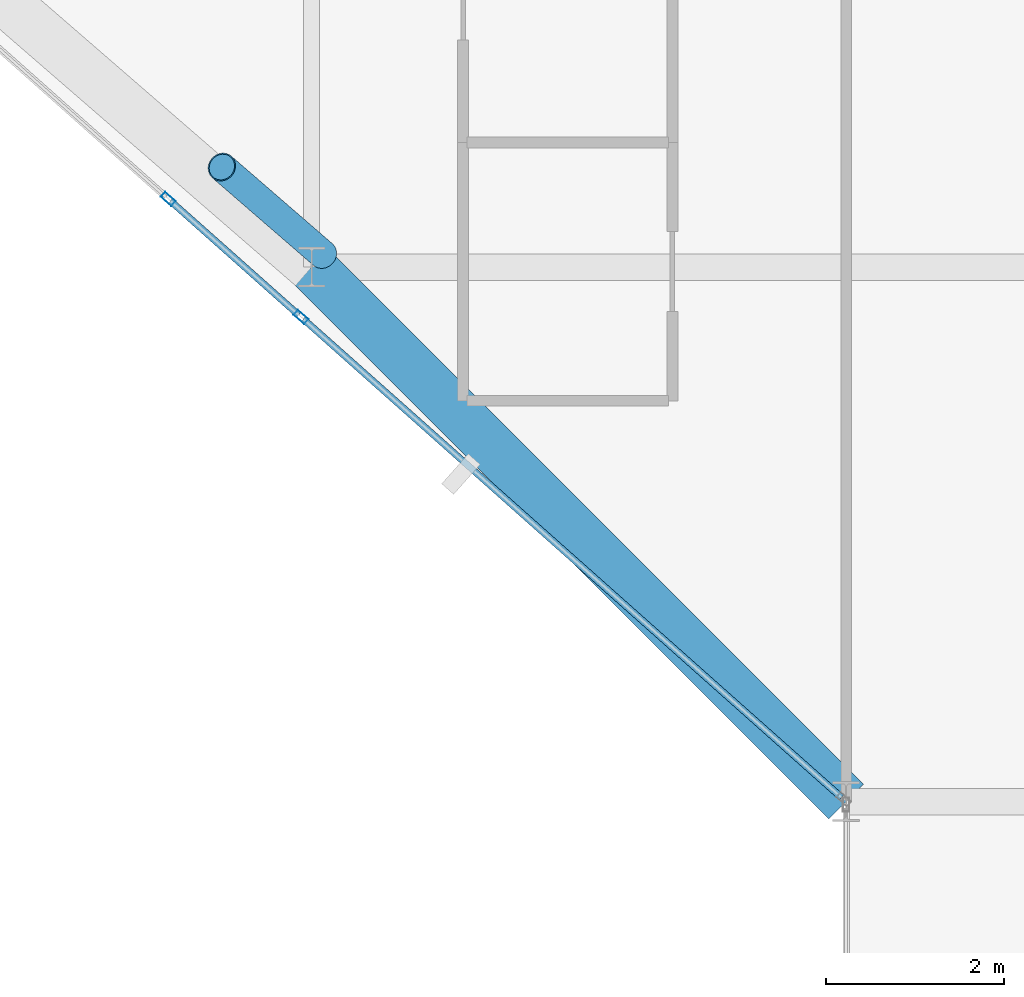
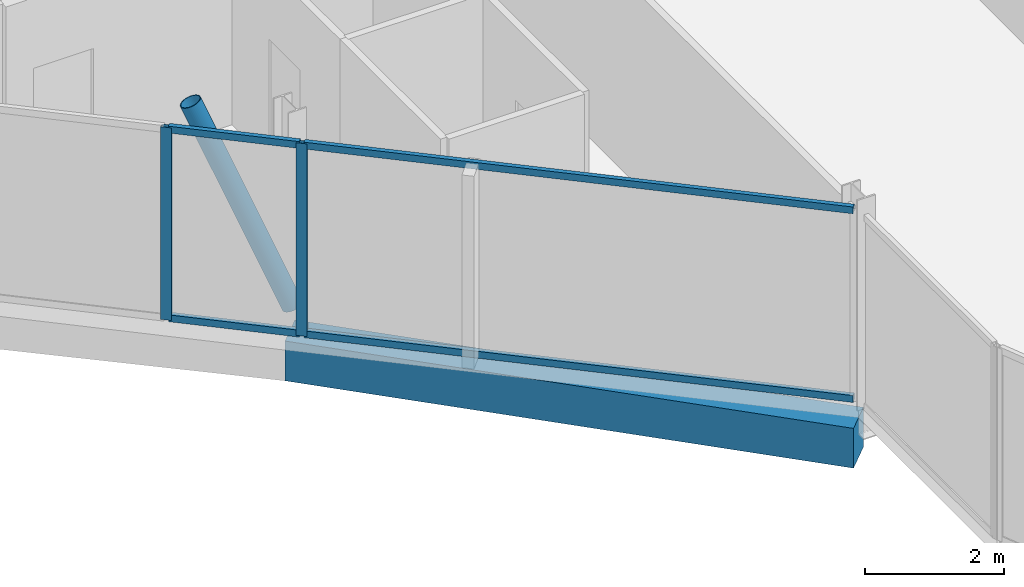
# One storey, part 4 of 29: 7 members, 1 beam, 2 elements without a shape of their own.
"""IFC4 building model written with IfcOpenShell, lengths in metres."""

from ifc_helpers import new_model, si_unit, direction, frame, origin, origin_2d, place, context, subcontext, project, spatial, rectangle, hollow_rectangle, hollow_circle, extrude, material, layer, layer_set, material_profile, profile_set, type_object, element, aggregate, save


model = new_model("IFC4")

# Units and contexts
model_context = context("Model", 3, precision=1e-05, world=origin(), true_north=direction((0.0, 1.0)))
body_context = subcontext(model_context, "Body", "Model", "MODEL_VIEW")
ifc_project = project(units=[si_unit("LENGTHUNIT", "METRE"), si_unit("AREAUNIT", "SQUARE_METRE"), si_unit("VOLUMEUNIT", "CUBIC_METRE"), si_unit("PLANEANGLEUNIT", "RADIAN"), si_unit("MASSUNIT", "GRAM", prefix="KILO")], contexts=[model_context])

# Site, building, storey
site_placement = place(None, origin())
site = spatial("IfcSite", under=ifc_project, at=site_placement, CompositionType="ELEMENT")
building_placement = place(site_placement, origin())
building = spatial("IfcBuilding", under=site, at=building_placement, Name="Keshet Zoharim Tower", CompositionType="ELEMENT")
storey_placement = place(building_placement, frame((0.0, 0.0, 203.199951171875)))
storey = spatial("IfcBuildingStorey", under=building, at=storey_placement, Name="L50", CompositionType="ELEMENT", Elevation=203.199951171875)

# Beam
ifc_material_1 = material(Name="Concrete C50/60", Category="concrete")
ifc_material_profile_1 = material_profile(ifc_material_1, rectangle(XDim=0.550048828125, YDim=0.699951171875, at=origin_2d()), Name="RC700x550")
ifc_profile_set_1 = profile_set([ifc_material_profile_1], Name="Concrete C50/60")
beam_type = type_object("IfcBeamType", Name="BM-SPN-700", PredefinedType="SPANDREL", material=ifc_profile_set_1)
beam_placement = place(storey_placement, frame((21.0, 6.699951171875, -0.659912109375), z_axis=(-0.707106781187, 0.707106781187, 0.0), x_axis=(-0.707106781187, -0.707106781187, 0.0)))
element("IfcBeam", 1, at=beam_placement, inside=storey, type_object=beam_type, Name="L50 Perimeter Spandrel Beam 01", PredefinedType="SPANDREL", context=body_context, shape_type="SweptSolid", body=[
    extrude(rectangle(XDim=0.550048828125, YDim=0.699951171875, at=origin_2d()), origin(), (0.0, 0.0, 1.0), 8.4853515625),
])

# Curtain wall, member
ifc_material_2 = material(Name="Aluminium 6063-T6", Category="aluminium")
ifc_layer = layer(ifc_material_2, 0.139892578125)
ifc_layer_set = layer_set([ifc_layer], Name="Aluminium 6063-T6")
curtain_wall_type = type_object("IfcCurtainWallType", Name="CW-SYS-05", PredefinedType="NOTDEFINED", material=ifc_layer_set)
curtain_wall_1_placement = place(storey_placement, origin())
curtain_wall_1 = element("IfcCurtainWall", 2, at=curtain_wall_1_placement, inside=storey, type_object=curtain_wall_type, Name="L50 Unitised Curtain Wall 10", PredefinedType="NOTDEFINED")
ifc_material_profile_2 = material_profile(ifc_material_2, hollow_rectangle(XDim=0.074951171875, YDim=0.159912109375, WallThickness=0.00390625, at=origin_2d()), Name="MUL-75x160")
ifc_profile_set_2 = profile_set([ifc_material_profile_2], Name="Aluminium 6063-T6")
member_type_1 = type_object("IfcMemberType", Name="CWM-M15", PredefinedType="MULLION", material=ifc_profile_set_2)
member_1_placement = place(storey_placement, frame((14.88037109375, 12.1396484375, 0.0), z_axis=(0.0, 0.0, 1.0), x_axis=(-0.664367613066, -0.74740596379, 0.0)))
member_1 = element("IfcMember", 3, at=member_1_placement, type_object=member_type_1, Name="CW-05 mullion 2", PredefinedType="MULLION", context=body_context, shape_type="SweptSolid", body=[
    extrude(hollow_rectangle(XDim=0.074951171875, YDim=0.159912109375, WallThickness=0.00390625, at=origin_2d()), origin(), (0.0, 0.0, 1.0), 3.39013671875),
])

curtain_wall_2_placement = place(storey_placement, origin())
curtain_wall_2 = element("IfcCurtainWall", 4, at=curtain_wall_2_placement, inside=storey, type_object=curtain_wall_type, Name="L50 Unitised Curtain Wall 10 Part 2", PredefinedType="NOTDEFINED")
member_2_placement = place(storey_placement, frame((13.388427734375, 13.4658203125, 0.0), z_axis=(0.0, 0.0, 1.0), x_axis=(-0.664329634314, -0.747439721297, 0.0)))
member_2 = element("IfcMember", 5, at=member_2_placement, type_object=member_type_1, Name="CW-05 mullion 2", PredefinedType="MULLION", context=body_context, shape_type="SweptSolid", body=[
    extrude(hollow_rectangle(XDim=0.074951171875, YDim=0.159912109375, WallThickness=0.00390625, at=origin_2d()), origin(), (0.0, 0.0, 1.0), 3.39013671875),
])

# Member
ifc_material_profile_3 = material_profile(ifc_material_2, hollow_rectangle(XDim=0.074951171875, YDim=0.1201171875, WallThickness=0.00390625, at=origin_2d()), Name="TRN-75x120")
ifc_profile_set_3 = profile_set([ifc_material_profile_3], Name="Aluminium 6063-T6")
member_type_2 = type_object("IfcMemberType", Name="CWT-T12", PredefinedType="USERDEFINED", material=ifc_profile_set_3)
member_3_placement = place(storey_placement, frame((20.94775390625, 6.74658203125, 0.03515625), z_axis=(-0.747404319135, 0.664369463279, 0.0), x_axis=(-0.664369463279, -0.747404319135, 0.0)))
member_3 = element("IfcMember", 6, at=member_3_placement, type_object=member_type_2, Name="CW-05 transom 1.1", ObjectType="TRANSOM", PredefinedType="USERDEFINED", context=body_context, shape_type="SweptSolid", body=[
    extrude(hollow_rectangle(XDim=0.074951171875, YDim=0.1201171875, WallThickness=0.00390625, at=origin_2d()), origin(), (0.0, 0.0, 1.0), 8.082763671875),
])

member_4_placement = place(storey_placement, frame((20.94775390625, 6.74658203125, 3.35498046875), z_axis=(-0.747404319135, 0.664369463279, 0.0), x_axis=(-0.664369463279, -0.747404319135, 0.0)))
member_4 = element("IfcMember", 7, at=member_4_placement, type_object=member_type_2, Name="CW-05 transom 1.2", ObjectType="TRANSOM", PredefinedType="USERDEFINED", context=body_context, shape_type="SweptSolid", body=[
    extrude(hollow_rectangle(XDim=0.074951171875, YDim=0.1201171875, WallThickness=0.00390625, at=origin_2d()), origin(), (0.0, 0.0, 1.0), 8.082763671875),
])

aggregate(curtain_wall_1, [member_1, member_3, member_4])

member_5_placement = place(storey_placement, frame((14.854248046875, 12.162841796875, 0.03515625), z_axis=(-0.747458269264, 0.664308765341, 0.0), x_axis=(-0.664308765341, -0.747458269264, 0.0)))
member_5 = element("IfcMember", 8, at=member_5_placement, type_object=member_type_2, Name="CW-05 transom 1.1", ObjectType="TRANSOM", PredefinedType="USERDEFINED", context=body_context, shape_type="SweptSolid", body=[
    extrude(hollow_rectangle(XDim=0.074951171875, YDim=0.1201171875, WallThickness=0.00390625, at=origin_2d()), origin(), (0.0, 0.0, 1.0), 1.926025390625),
])

member_6_placement = place(storey_placement, frame((14.854248046875, 12.162841796875, 3.35498046875), z_axis=(-0.747458269264, 0.664308765341, 0.0), x_axis=(-0.664308765341, -0.747458269264, 0.0)))
member_6 = element("IfcMember", 9, at=member_6_placement, type_object=member_type_2, Name="CW-05 transom 1.2", ObjectType="TRANSOM", PredefinedType="USERDEFINED", context=body_context, shape_type="SweptSolid", body=[
    extrude(hollow_rectangle(XDim=0.074951171875, YDim=0.1201171875, WallThickness=0.00390625, at=origin_2d()), origin(), (0.0, 0.0, 1.0), 1.926025390625),
])

aggregate(curtain_wall_2, [member_2, member_5, member_6])

ifc_material_3 = material(Name="Steel S355", Category="steel")
ifc_material_profile_4 = material_profile(ifc_material_3, hollow_circle(Radius=0.161865234375, WallThickness=0.012451171875, at=origin_2d()), Name="CHS323x12.5")
ifc_profile_set_4 = profile_set([ifc_material_profile_4], Name="Steel S355")
member_type_3 = type_object("IfcMemberType", Name="MB-BR-C323", PredefinedType="BRACE", material=ifc_profile_set_4)
member_7_placement = place(storey_placement, frame((15.1259765625, 12.842041015625, 0.0), z_axis=(-0.305901085163, 0.264872801835, 0.914476311855), x_axis=(-0.654589683411, -0.755984355904, 0.0)))
element("IfcMember", 10, at=member_7_placement, inside=storey, type_object=member_type_3, Name="L50 Perimeter Tube Brace 01", PredefinedType="BRACE", context=body_context, shape_type="SweptSolid", body=[
    extrude(hollow_circle(Radius=0.161865234375, WallThickness=0.012451171875, at=origin_2d()), origin(), (0.0, 0.0, 1.0), 3.707275390625),
])

save(model, "model.ifc")
